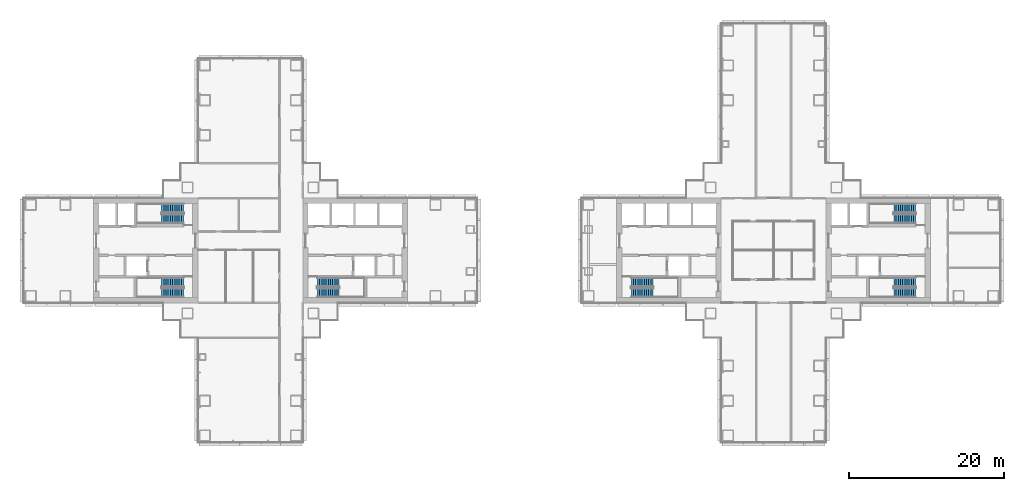
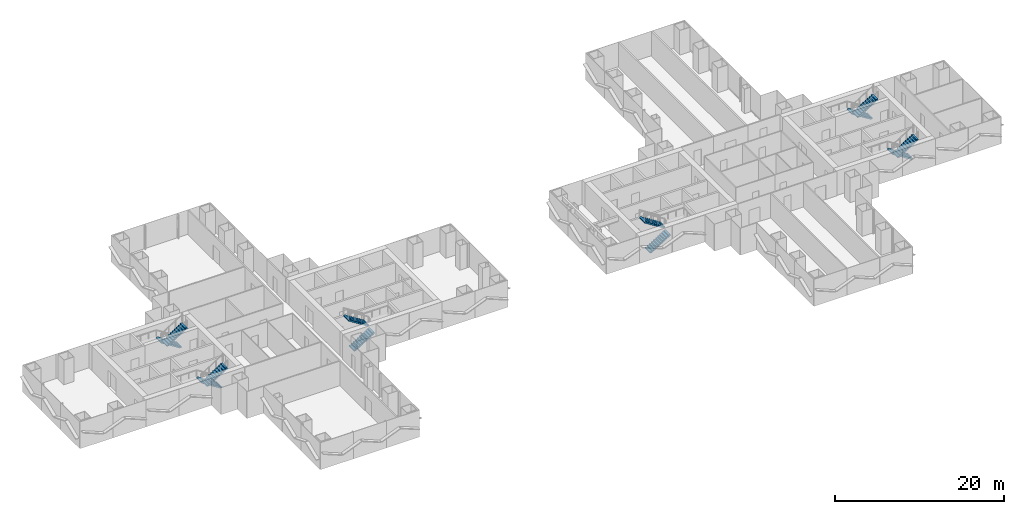
# One storey, part 17 of 21: 12 stair flights, 6 elements without a shape of their own.
"""IFC4 building model written with IfcOpenShell, lengths in metres."""

from ifc_helpers import new_model, si_unit, direction, frame, origin, place, context, subcontext, project, spatial, polyline, outline, extrude, material, type_object, element, aggregate, save


model = new_model("IFC4")

# Units and contexts
model_context = context("Model", 3, precision=1e-05, world=origin(), true_north=direction((0.0, 1.0)))
body_context = subcontext(model_context, "Body", "Model", "MODEL_VIEW")
ifc_project = project(units=[si_unit("LENGTHUNIT", "METRE"), si_unit("AREAUNIT", "SQUARE_METRE"), si_unit("VOLUMEUNIT", "CUBIC_METRE"), si_unit("PLANEANGLEUNIT", "RADIAN"), si_unit("MASSUNIT", "GRAM", prefix="KILO")], contexts=[model_context])

# Site, building, storey
site_placement = place(None, origin())
site = spatial("IfcSite", under=ifc_project, at=site_placement, CompositionType="ELEMENT")
building_placement = place(site_placement, origin())
building = spatial("IfcBuilding", under=site, at=building_placement, Name="Shamsa Quay Exchange Towers", CompositionType="ELEMENT")
storey_placement = place(building_placement, frame((0.0, 0.0, 57.60009765625)))
storey = spatial("IfcBuildingStorey", under=building, at=storey_placement, Name="L12", CompositionType="ELEMENT", Elevation=57.60009765625)

# Stair, stair flights
ifc_material = material(Name="Concrete C40/50", Category="concrete")
stair_type = type_object("IfcStairType", Name="EXIT STAIR 22 RISERS 177 MM", PredefinedType="HALF_TURN_STAIR", material=ifc_material)
stair_1_placement = place(storey_placement, origin())
stair_1 = element("IfcStair", 1, at=stair_1_placement, inside=storey, type_object=stair_type, Name="L12 Exit stair ST1", PredefinedType="HALF_TURN_STAIR")
stair_flight_type = type_object("IfcStairFlightType", Name="EXIT STAIR FLIGHT 11 RISERS 177 MM", PredefinedType="STRAIGHT", material=ifc_material)
stair_flight_1_placement = place(storey_placement, frame((-25.10009765625, -5.449951171875, 0.0)))
stair_flight_1 = element("IfcStairFlight", 2, at=stair_flight_1_placement, type_object=stair_flight_type, Name="ST1 flight 1", NumberOfRisers=11, NumberOfTreads=10, PredefinedType="STRAIGHT", RiserHeight=0.177272727, TreadLength=0.28, context=body_context, shape_type="SweptSolid", body=[
    extrude(outline(polyline([(0.0, 0.0), (0.0, 0.17724609375), (0.280029296875, 0.17724609375), (0.280029296875, 0.3544921875), (0.56005859375, 0.3544921875), (0.56005859375, 0.53173828125), (0.840087890625, 0.53173828125), (0.840087890625, 0.708984375), (1.1201171875, 0.708984375), (1.1201171875, 0.886474609375), (1.39990234375, 0.886474609375), (1.39990234375, 1.063720703125), (1.679931640625, 1.063720703125), (1.679931640625, 1.240966796875), (1.9599609375, 1.240966796875), (1.9599609375, 1.418212890625), (2.239990234375, 1.418212890625), (2.239990234375, 1.595458984375), (2.52001953125, 1.595458984375), (2.52001953125, 1.772705078125), (2.800048828125, 1.772705078125), (2.800048828125, 1.949951171875), (2.800048828125, 1.607177734375), (0.261474609375, 0.0), (0.0, 0.0)])), frame((0.0, 0.60009765625, 0.0), z_axis=(0.0, -1.0, 0.0), x_axis=(1.0, 0.0, 0.0)), (0.0, 0.0, 1.0), 1.199951171875),
])
stair_flight_2_placement = place(storey_placement, frame((-22.300048828125, -4.10009765625, 1.949951171875), z_axis=(0.0, 0.0, 1.0), x_axis=(-1.0, 0.0, 0.0)))
stair_flight_2 = element("IfcStairFlight", 3, at=stair_flight_2_placement, type_object=stair_flight_type, Name="ST1 flight 2", NumberOfRisers=11, NumberOfTreads=10, PredefinedType="STRAIGHT", RiserHeight=0.177272727, TreadLength=0.28, context=body_context, shape_type="SweptSolid", body=[
    extrude(outline(polyline([(0.0, 0.0), (0.0, 0.17724609375), (0.280029296875, 0.17724609375), (0.280029296875, 0.3544921875), (0.56005859375, 0.3544921875), (0.56005859375, 0.53173828125), (0.840087890625, 0.53173828125), (0.840087890625, 0.708984375), (1.1201171875, 0.708984375), (1.1201171875, 0.886474609375), (1.39990234375, 0.886474609375), (1.39990234375, 1.063720703125), (1.679931640625, 1.063720703125), (1.679931640625, 1.240966796875), (1.9599609375, 1.240966796875), (1.9599609375, 1.418212890625), (2.239990234375, 1.418212890625), (2.239990234375, 1.595458984375), (2.52001953125, 1.595458984375), (2.52001953125, 1.772705078125), (2.800048828125, 1.772705078125), (2.800048828125, 1.949951171875), (2.800048828125, 1.607177734375), (0.261474609375, 0.0), (0.0, 0.0)])), frame((0.0, 0.60009765625, 0.0), z_axis=(0.0, -1.0, 0.0), x_axis=(1.0, 0.0, 0.0)), (0.0, 0.0, 1.0), 1.199951171875),
])
aggregate(stair_1, [stair_flight_1, stair_flight_2])

stair_2_placement = place(storey_placement, origin())
stair_2 = element("IfcStair", 4, at=stair_2_placement, inside=storey, type_object=stair_type, Name="L12 Exit stair ST2", PredefinedType="HALF_TURN_STAIR")
stair_flight_3_placement = place(storey_placement, frame((-42.39990234375, -4.10009765625, 0.0), z_axis=(0.0, 0.0, 1.0), x_axis=(-1.0, 0.0, 0.0)))
stair_flight_3 = element("IfcStairFlight", 5, at=stair_flight_3_placement, type_object=stair_flight_type, Name="ST2 flight 1", NumberOfRisers=11, NumberOfTreads=10, PredefinedType="STRAIGHT", RiserHeight=0.177272727, TreadLength=0.28, context=body_context, shape_type="SweptSolid", body=[
    extrude(outline(polyline([(0.0, 0.0), (0.0, 0.17724609375), (0.280029296875, 0.17724609375), (0.280029296875, 0.3544921875), (0.56005859375, 0.3544921875), (0.56005859375, 0.53173828125), (0.840087890625, 0.53173828125), (0.840087890625, 0.708984375), (1.1201171875, 0.708984375), (1.1201171875, 0.886474609375), (1.39990234375, 0.886474609375), (1.39990234375, 1.063720703125), (1.679931640625, 1.063720703125), (1.679931640625, 1.240966796875), (1.9599609375, 1.240966796875), (1.9599609375, 1.418212890625), (2.239990234375, 1.418212890625), (2.239990234375, 1.595458984375), (2.52001953125, 1.595458984375), (2.52001953125, 1.772705078125), (2.800048828125, 1.772705078125), (2.800048828125, 1.949951171875), (2.800048828125, 1.607177734375), (0.261474609375, 0.0), (0.0, 0.0)])), frame((0.0, 0.60009765625, 0.0), z_axis=(0.0, -1.0, 0.0), x_axis=(1.0, 0.0, 0.0)), (0.0, 0.0, 1.0), 1.199951171875),
])
stair_flight_4_placement = place(storey_placement, frame((-45.199951171875, -5.449951171875, 1.949951171875)))
stair_flight_4 = element("IfcStairFlight", 6, at=stair_flight_4_placement, type_object=stair_flight_type, Name="ST2 flight 2", NumberOfRisers=11, NumberOfTreads=10, PredefinedType="STRAIGHT", RiserHeight=0.177272727, TreadLength=0.28, context=body_context, shape_type="SweptSolid", body=[
    extrude(outline(polyline([(0.0, 0.0), (0.0, 0.17724609375), (0.280029296875, 0.17724609375), (0.280029296875, 0.3544921875), (0.56005859375, 0.3544921875), (0.56005859375, 0.53173828125), (0.840087890625, 0.53173828125), (0.840087890625, 0.708984375), (1.1201171875, 0.708984375), (1.1201171875, 0.886474609375), (1.39990234375, 0.886474609375), (1.39990234375, 1.063720703125), (1.679931640625, 1.063720703125), (1.679931640625, 1.240966796875), (1.9599609375, 1.240966796875), (1.9599609375, 1.418212890625), (2.239990234375, 1.418212890625), (2.239990234375, 1.595458984375), (2.52001953125, 1.595458984375), (2.52001953125, 1.772705078125), (2.800048828125, 1.772705078125), (2.800048828125, 1.949951171875), (2.800048828125, 1.607177734375), (0.261474609375, 0.0), (0.0, 0.0)])), frame((0.0, 0.60009765625, 0.0), z_axis=(0.0, -1.0, 0.0), x_axis=(1.0, 0.0, 0.0)), (0.0, 0.0, 1.0), 1.199951171875),
])
aggregate(stair_2, [stair_flight_3, stair_flight_4])

stair_3_placement = place(storey_placement, origin())
stair_3 = element("IfcStair", 7, at=stair_3_placement, inside=storey, type_object=stair_type, Name="L12 Exit stair ST3", PredefinedType="HALF_TURN_STAIR")
stair_flight_5_placement = place(storey_placement, frame((-42.39990234375, 5.449951171875, 0.0), z_axis=(0.0, 0.0, 1.0), x_axis=(-1.0, 0.0, 0.0)))
stair_flight_5 = element("IfcStairFlight", 8, at=stair_flight_5_placement, type_object=stair_flight_type, Name="ST3 flight 1", NumberOfRisers=11, NumberOfTreads=10, PredefinedType="STRAIGHT", RiserHeight=0.177272727, TreadLength=0.28, context=body_context, shape_type="SweptSolid", body=[
    extrude(outline(polyline([(0.0, 0.0), (0.0, 0.17724609375), (0.280029296875, 0.17724609375), (0.280029296875, 0.3544921875), (0.56005859375, 0.3544921875), (0.56005859375, 0.53173828125), (0.840087890625, 0.53173828125), (0.840087890625, 0.708984375), (1.1201171875, 0.708984375), (1.1201171875, 0.886474609375), (1.39990234375, 0.886474609375), (1.39990234375, 1.063720703125), (1.679931640625, 1.063720703125), (1.679931640625, 1.240966796875), (1.9599609375, 1.240966796875), (1.9599609375, 1.418212890625), (2.239990234375, 1.418212890625), (2.239990234375, 1.595458984375), (2.52001953125, 1.595458984375), (2.52001953125, 1.772705078125), (2.800048828125, 1.772705078125), (2.800048828125, 1.949951171875), (2.800048828125, 1.607177734375), (0.261474609375, 0.0), (0.0, 0.0)])), frame((0.0, 0.60009765625, 0.0), z_axis=(0.0, -1.0, 0.0), x_axis=(1.0, 0.0, 0.0)), (0.0, 0.0, 1.0), 1.199951171875),
])
stair_flight_6_placement = place(storey_placement, frame((-45.199951171875, 4.10009765625, 1.949951171875)))
stair_flight_6 = element("IfcStairFlight", 9, at=stair_flight_6_placement, type_object=stair_flight_type, Name="ST3 flight 2", NumberOfRisers=11, NumberOfTreads=10, PredefinedType="STRAIGHT", RiserHeight=0.177272727, TreadLength=0.28, context=body_context, shape_type="SweptSolid", body=[
    extrude(outline(polyline([(0.0, 0.0), (0.0, 0.17724609375), (0.280029296875, 0.17724609375), (0.280029296875, 0.3544921875), (0.56005859375, 0.3544921875), (0.56005859375, 0.53173828125), (0.840087890625, 0.53173828125), (0.840087890625, 0.708984375), (1.1201171875, 0.708984375), (1.1201171875, 0.886474609375), (1.39990234375, 0.886474609375), (1.39990234375, 1.063720703125), (1.679931640625, 1.063720703125), (1.679931640625, 1.240966796875), (1.9599609375, 1.240966796875), (1.9599609375, 1.418212890625), (2.239990234375, 1.418212890625), (2.239990234375, 1.595458984375), (2.52001953125, 1.595458984375), (2.52001953125, 1.772705078125), (2.800048828125, 1.772705078125), (2.800048828125, 1.949951171875), (2.800048828125, 1.607177734375), (0.261474609375, 0.0), (0.0, 0.0)])), frame((0.0, 0.60009765625, 0.0), z_axis=(0.0, -1.0, 0.0), x_axis=(1.0, 0.0, 0.0)), (0.0, 0.0, 1.0), 1.199951171875),
])
aggregate(stair_3, [stair_flight_5, stair_flight_6])

stair_4_placement = place(storey_placement, origin())
stair_4 = element("IfcStair", 10, at=stair_4_placement, inside=storey, type_object=stair_type, Name="L12 Exit stair ST4", PredefinedType="HALF_TURN_STAIR")
stair_flight_7_placement = place(storey_placement, frame((15.39990234375, -5.449951171875, 0.0)))
stair_flight_7 = element("IfcStairFlight", 11, at=stair_flight_7_placement, type_object=stair_flight_type, Name="ST4 flight 1", NumberOfRisers=11, NumberOfTreads=10, PredefinedType="STRAIGHT", RiserHeight=0.177272727, TreadLength=0.28, context=body_context, shape_type="SweptSolid", body=[
    extrude(outline(polyline([(0.0, 0.0), (0.0, 0.17724609375), (0.280029296875, 0.17724609375), (0.280029296875, 0.3544921875), (0.56005859375, 0.3544921875), (0.56005859375, 0.53173828125), (0.840087890625, 0.53173828125), (0.840087890625, 0.708984375), (1.1201171875, 0.708984375), (1.1201171875, 0.886474609375), (1.39990234375, 0.886474609375), (1.39990234375, 1.063720703125), (1.679931640625, 1.063720703125), (1.679931640625, 1.240966796875), (1.9599609375, 1.240966796875), (1.9599609375, 1.418212890625), (2.239990234375, 1.418212890625), (2.239990234375, 1.595458984375), (2.52001953125, 1.595458984375), (2.52001953125, 1.772705078125), (2.800048828125, 1.772705078125), (2.800048828125, 1.949951171875), (2.800048828125, 1.607177734375), (0.261474609375, 0.0), (0.0, 0.0)])), frame((0.0, 0.60009765625, 0.0), z_axis=(0.0, -1.0, 0.0), x_axis=(1.0, 0.0, 0.0)), (0.0, 0.0, 1.0), 1.199951171875),
])
stair_flight_8_placement = place(storey_placement, frame((18.199951171875, -4.10009765625, 1.949951171875), z_axis=(0.0, 0.0, 1.0), x_axis=(-1.0, 0.0, 0.0)))
stair_flight_8 = element("IfcStairFlight", 12, at=stair_flight_8_placement, type_object=stair_flight_type, Name="ST4 flight 2", NumberOfRisers=11, NumberOfTreads=10, PredefinedType="STRAIGHT", RiserHeight=0.177272727, TreadLength=0.28, context=body_context, shape_type="SweptSolid", body=[
    extrude(outline(polyline([(0.0, 0.0), (0.0, 0.17724609375), (0.280029296875, 0.17724609375), (0.280029296875, 0.3544921875), (0.56005859375, 0.3544921875), (0.56005859375, 0.53173828125), (0.840087890625, 0.53173828125), (0.840087890625, 0.708984375), (1.1201171875, 0.708984375), (1.1201171875, 0.886474609375), (1.39990234375, 0.886474609375), (1.39990234375, 1.063720703125), (1.679931640625, 1.063720703125), (1.679931640625, 1.240966796875), (1.9599609375, 1.240966796875), (1.9599609375, 1.418212890625), (2.239990234375, 1.418212890625), (2.239990234375, 1.595458984375), (2.52001953125, 1.595458984375), (2.52001953125, 1.772705078125), (2.800048828125, 1.772705078125), (2.800048828125, 1.949951171875), (2.800048828125, 1.607177734375), (0.261474609375, 0.0), (0.0, 0.0)])), frame((0.0, 0.60009765625, 0.0), z_axis=(0.0, -1.0, 0.0), x_axis=(1.0, 0.0, 0.0)), (0.0, 0.0, 1.0), 1.199951171875),
])
aggregate(stair_4, [stair_flight_7, stair_flight_8])

stair_5_placement = place(storey_placement, origin())
stair_5 = element("IfcStair", 13, at=stair_5_placement, inside=storey, type_object=stair_type, Name="L12 Exit stair ST5", PredefinedType="HALF_TURN_STAIR")
stair_flight_9_placement = place(storey_placement, frame((52.10009765625, -4.10009765625, 0.0), z_axis=(0.0, 0.0, 1.0), x_axis=(-1.0, 0.0, 0.0)))
stair_flight_9 = element("IfcStairFlight", 14, at=stair_flight_9_placement, type_object=stair_flight_type, Name="ST5 flight 1", NumberOfRisers=11, NumberOfTreads=10, PredefinedType="STRAIGHT", RiserHeight=0.177272727, TreadLength=0.28, context=body_context, shape_type="SweptSolid", body=[
    extrude(outline(polyline([(0.0, 0.0), (0.0, 0.17724609375), (0.280029296875, 0.17724609375), (0.280029296875, 0.3544921875), (0.56005859375, 0.3544921875), (0.56005859375, 0.53173828125), (0.840087890625, 0.53173828125), (0.840087890625, 0.708984375), (1.1201171875, 0.708984375), (1.1201171875, 0.886474609375), (1.39990234375, 0.886474609375), (1.39990234375, 1.063720703125), (1.679931640625, 1.063720703125), (1.679931640625, 1.240966796875), (1.9599609375, 1.240966796875), (1.9599609375, 1.418212890625), (2.239990234375, 1.418212890625), (2.239990234375, 1.595458984375), (2.52001953125, 1.595458984375), (2.52001953125, 1.772705078125), (2.800048828125, 1.772705078125), (2.800048828125, 1.949951171875), (2.800048828125, 1.607177734375), (0.261474609375, 0.0), (0.0, 0.0)])), frame((0.0, 0.60009765625, 0.0), z_axis=(0.0, -1.0, 0.0), x_axis=(1.0, 0.0, 0.0)), (0.0, 0.0, 1.0), 1.199951171875),
])
stair_flight_10_placement = place(storey_placement, frame((49.300048828125, -5.449951171875, 1.949951171875)))
stair_flight_10 = element("IfcStairFlight", 15, at=stair_flight_10_placement, type_object=stair_flight_type, Name="ST5 flight 2", NumberOfRisers=11, NumberOfTreads=10, PredefinedType="STRAIGHT", RiserHeight=0.177272727, TreadLength=0.28, context=body_context, shape_type="SweptSolid", body=[
    extrude(outline(polyline([(0.0, 0.0), (0.0, 0.17724609375), (0.280029296875, 0.17724609375), (0.280029296875, 0.3544921875), (0.56005859375, 0.3544921875), (0.56005859375, 0.53173828125), (0.840087890625, 0.53173828125), (0.840087890625, 0.708984375), (1.1201171875, 0.708984375), (1.1201171875, 0.886474609375), (1.39990234375, 0.886474609375), (1.39990234375, 1.063720703125), (1.679931640625, 1.063720703125), (1.679931640625, 1.240966796875), (1.9599609375, 1.240966796875), (1.9599609375, 1.418212890625), (2.239990234375, 1.418212890625), (2.239990234375, 1.595458984375), (2.52001953125, 1.595458984375), (2.52001953125, 1.772705078125), (2.800048828125, 1.772705078125), (2.800048828125, 1.949951171875), (2.800048828125, 1.607177734375), (0.261474609375, 0.0), (0.0, 0.0)])), frame((0.0, 0.60009765625, 0.0), z_axis=(0.0, -1.0, 0.0), x_axis=(1.0, 0.0, 0.0)), (0.0, 0.0, 1.0), 1.199951171875),
])
aggregate(stair_5, [stair_flight_9, stair_flight_10])

stair_6_placement = place(storey_placement, origin())
stair_6 = element("IfcStair", 16, at=stair_6_placement, inside=storey, type_object=stair_type, Name="L12 Exit stair ST6", PredefinedType="HALF_TURN_STAIR")
stair_flight_11_placement = place(storey_placement, frame((52.10009765625, 5.449951171875, 0.0), z_axis=(0.0, 0.0, 1.0), x_axis=(-1.0, 0.0, 0.0)))
stair_flight_11 = element("IfcStairFlight", 17, at=stair_flight_11_placement, type_object=stair_flight_type, Name="ST6 flight 1", NumberOfRisers=11, NumberOfTreads=10, PredefinedType="STRAIGHT", RiserHeight=0.177272727, TreadLength=0.28, context=body_context, shape_type="SweptSolid", body=[
    extrude(outline(polyline([(0.0, 0.0), (0.0, 0.17724609375), (0.280029296875, 0.17724609375), (0.280029296875, 0.3544921875), (0.56005859375, 0.3544921875), (0.56005859375, 0.53173828125), (0.840087890625, 0.53173828125), (0.840087890625, 0.708984375), (1.1201171875, 0.708984375), (1.1201171875, 0.886474609375), (1.39990234375, 0.886474609375), (1.39990234375, 1.063720703125), (1.679931640625, 1.063720703125), (1.679931640625, 1.240966796875), (1.9599609375, 1.240966796875), (1.9599609375, 1.418212890625), (2.239990234375, 1.418212890625), (2.239990234375, 1.595458984375), (2.52001953125, 1.595458984375), (2.52001953125, 1.772705078125), (2.800048828125, 1.772705078125), (2.800048828125, 1.949951171875), (2.800048828125, 1.607177734375), (0.261474609375, 0.0), (0.0, 0.0)])), frame((0.0, 0.60009765625, 0.0), z_axis=(0.0, -1.0, 0.0), x_axis=(1.0, 0.0, 0.0)), (0.0, 0.0, 1.0), 1.199951171875),
])
stair_flight_12_placement = place(storey_placement, frame((49.300048828125, 4.10009765625, 1.949951171875)))
stair_flight_12 = element("IfcStairFlight", 18, at=stair_flight_12_placement, type_object=stair_flight_type, Name="ST6 flight 2", NumberOfRisers=11, NumberOfTreads=10, PredefinedType="STRAIGHT", RiserHeight=0.177272727, TreadLength=0.28, context=body_context, shape_type="SweptSolid", body=[
    extrude(outline(polyline([(0.0, 0.0), (0.0, 0.17724609375), (0.280029296875, 0.17724609375), (0.280029296875, 0.3544921875), (0.56005859375, 0.3544921875), (0.56005859375, 0.53173828125), (0.840087890625, 0.53173828125), (0.840087890625, 0.708984375), (1.1201171875, 0.708984375), (1.1201171875, 0.886474609375), (1.39990234375, 0.886474609375), (1.39990234375, 1.063720703125), (1.679931640625, 1.063720703125), (1.679931640625, 1.240966796875), (1.9599609375, 1.240966796875), (1.9599609375, 1.418212890625), (2.239990234375, 1.418212890625), (2.239990234375, 1.595458984375), (2.52001953125, 1.595458984375), (2.52001953125, 1.772705078125), (2.800048828125, 1.772705078125), (2.800048828125, 1.949951171875), (2.800048828125, 1.607177734375), (0.261474609375, 0.0), (0.0, 0.0)])), frame((0.0, 0.60009765625, 0.0), z_axis=(0.0, -1.0, 0.0), x_axis=(1.0, 0.0, 0.0)), (0.0, 0.0, 1.0), 1.199951171875),
])
aggregate(stair_6, [stair_flight_11, stair_flight_12])

save(model, "model.ifc")
